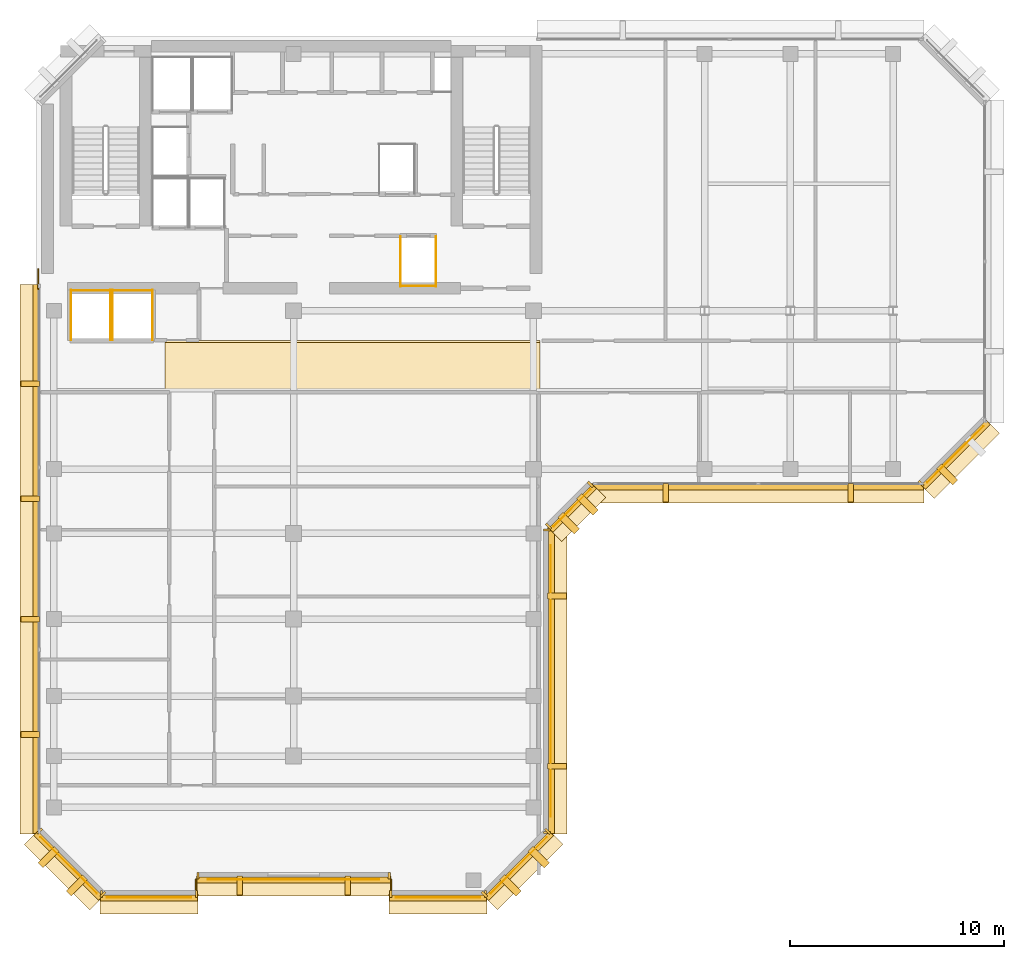
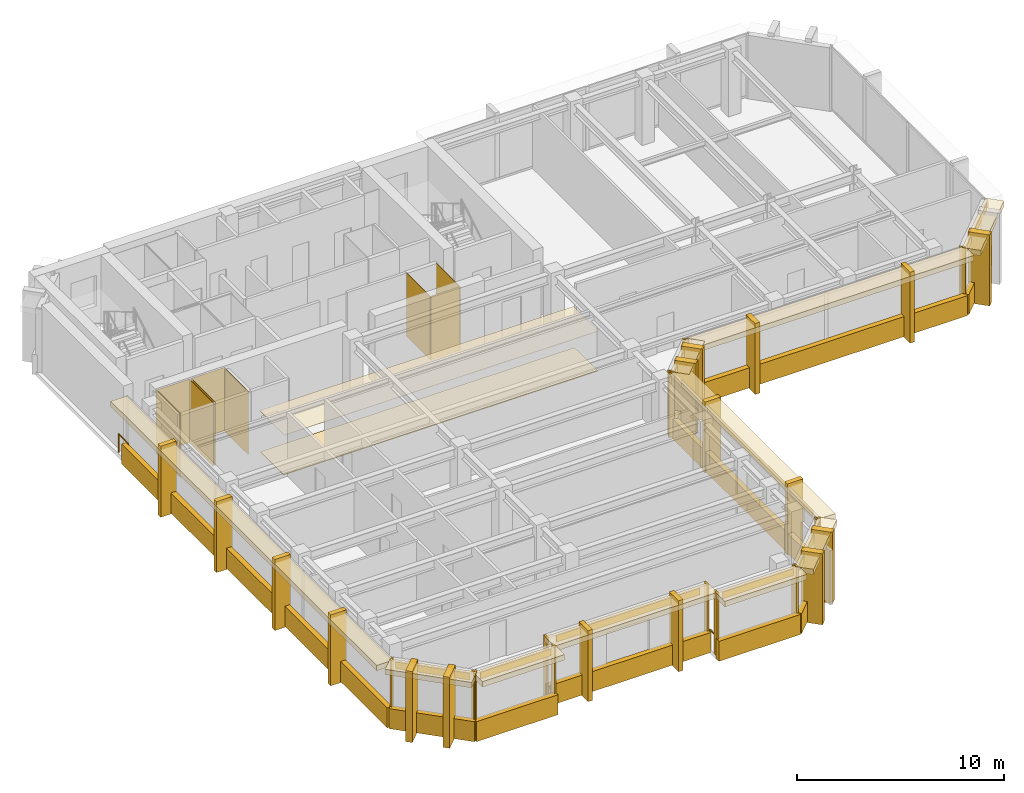
# One storey, part 9 of 12: 71 coverings, 3 railings.
"""IFC4 building model written with IfcOpenShell, lengths in metres."""

from ifc_helpers import new_model, si_unit, direction, frame, origin, origin_2d, place, context, subcontext, project, spatial, polyline, rectangle, circle, outline, extrude, material, layer, layer_set, type_object, element, save


model = new_model("IFC4")

# Units and contexts
model_context = context("Model", 3, precision=1e-05, world=origin(), true_north=direction((0.0, 1.0)))
body_context = subcontext(model_context, "Body", "Model", "MODEL_VIEW")
ifc_project = project(units=[si_unit("LENGTHUNIT", "METRE"), si_unit("AREAUNIT", "SQUARE_METRE"), si_unit("VOLUMEUNIT", "CUBIC_METRE"), si_unit("PLANEANGLEUNIT", "RADIAN"), si_unit("MASSUNIT", "GRAM", prefix="KILO")], contexts=[model_context])

# Site, building, storey
site_placement = place(None, origin())
site = spatial("IfcSite", under=ifc_project, at=site_placement, CompositionType="ELEMENT")
building_placement = place(site_placement, origin())
building = spatial("IfcBuilding", under=site, at=building_placement, Name="Kefirva Bronze Tower", CompositionType="ELEMENT")
storey_placement = place(building_placement, frame((0.0, 0.0, 296.010009765625)))
storey = spatial("IfcBuildingStorey", under=building, at=storey_placement, Name="L72", CompositionType="ELEMENT", Elevation=296.010009765625)

# Coverings
ifc_material_1 = material(Name="Acoustic mineral tile")
ifc_layer_1 = layer(ifc_material_1, 0.02490234375, Name="Acoustic mineral tile")
ifc_layer_set_1 = layer_set([ifc_layer_1], Name="Acoustic mineral tile")
covering_type_1 = type_object("IfcCoveringType", Name="Acoustic Mineral Suspended Ceiling 25mm", PredefinedType="CEILING", material=ifc_layer_set_1)
covering_1_placement = place(storey_placement, frame((0.0, 0.0, 2.39990234375)))
element("IfcCovering", 1, at=covering_1_placement, inside=storey, type_object=covering_type_1, Name="L72 Corridor Acoustic Ceiling", PredefinedType="CEILING", context=body_context, shape_type="SweptSolid", body=[
    extrude(outline(polyline([(6.0, 29.39990234375), (23.5, 29.39990234375), (23.5, 31.800048828125), (6.0, 31.800048828125), (6.0, 29.39990234375)])), origin(), (0.0, 0.0, 1.0), 0.025146484375),
])
ifc_material_2 = material(Name="Bronze anodised aluminium", Category="aluminium")
ifc_layer_2 = layer(ifc_material_2, 0.02001953125, Name="Bronze anodised aluminium")
ifc_layer_set_2 = layer_set([ifc_layer_2], Name="Bronze anodised aluminium")
covering_type_2 = type_object("IfcCoveringType", Name="Anodised Bronze Spandrel Cladding 20mm", PredefinedType="CLADDING", material=ifc_layer_set_2)
covering_2_placement = place(storey_placement, frame((5.25, 5.7900390625, 3.320068359375), z_axis=(0.0, 0.0, 1.0), x_axis=(1.0, 0.0, 0.0)))
element("IfcCovering", 2, at=covering_2_placement, inside=storey, type_object=covering_type_2, Name="L72 Bronze Spandrel Cladding 1", PredefinedType="CLADDING", context=body_context, shape_type="SweptSolid", body=[
    extrude(rectangle(XDim=3.950927734375, YDim=0.02001953125, at=origin_2d()), origin(), (0.0, 0.0, 1.0), 0.39990234375),
])
for number, where, z_axis, x_axis, name in (
    (3, (3.034912109375, 5.9599609375, 0.0), (0.0, 0.0, 1.0), (1.0, 0.0, 0.0), "L72 Facade Joint Closure Panel 1S"),
    (4, (7.465087890625, 5.9599609375, 0.0), (0.0, 0.0, 1.0), (1.0, 0.0, 0.0), "L72 Facade Joint Closure Panel 1E"),
):
    element("IfcCovering", number, at=place(storey_placement, frame(where, z_axis=z_axis, x_axis=x_axis)), inside=storey, type_object=covering_type_2, Name=name, PredefinedType="CLADDING", context=body_context, shape_type="SweptSolid", body=[
        extrude(rectangle(XDim=0.10009765625, YDim=0.320068359375, at=origin_2d()), origin(), (0.0, 0.0, 1.0), 3.739990234375),
    ])
covering_3_placement = place(storey_placement, frame((5.25, 5.760009765625, -0.16015625), z_axis=(0.0, 0.0, 1.0), x_axis=(1.0, 0.0, 0.0)))
element("IfcCovering", 5, at=covering_3_placement, inside=storey, type_object=covering_type_2, Name="L72 Streamline Horizontal Spandrel Band 0", PredefinedType="CLADDING", context=body_context, shape_type="SweptSolid", body=[
    extrude(rectangle(XDim=4.5400390625, YDim=0.280029296875, at=origin_2d()), origin(), (0.0, 0.0, 1.0), 1.179931640625),
])
covering_4_placement = place(storey_placement, frame((12.0, 6.639892578125, 3.320068359375), z_axis=(0.0, 0.0, 1.0), x_axis=(1.0, 0.0, 0.0)))
element("IfcCovering", 6, at=covering_4_placement, inside=storey, type_object=covering_type_2, Name="L72 Bronze Spandrel Cladding 2", PredefinedType="CLADDING", context=body_context, shape_type="SweptSolid", body=[
    extrude(rectangle(XDim=8.0009765625, YDim=0.02001953125, at=origin_2d()), origin(), (0.0, 0.0, 1.0), 0.39990234375),
])
for number, where, z_axis, x_axis, name in (
    (7, (7.534912109375, 6.81005859375, 0.0), (0.0, 0.0, 1.0), (1.0, 0.0, 0.0), "L72 Facade Joint Closure Panel 2S"),
    (8, (16.465087890625, 6.81005859375, 0.0), (0.0, 0.0, 1.0), (1.0, 0.0, 0.0), "L72 Facade Joint Closure Panel 2E"),
):
    element("IfcCovering", number, at=place(storey_placement, frame(where, z_axis=z_axis, x_axis=x_axis)), inside=storey, type_object=covering_type_2, Name=name, PredefinedType="CLADDING", context=body_context, shape_type="SweptSolid", body=[
        extrude(rectangle(XDim=0.10009765625, YDim=0.320068359375, at=origin_2d()), origin(), (0.0, 0.0, 1.0), 3.739990234375),
    ])
covering_5_placement = place(storey_placement, frame((12.0, 6.610107421875, -0.16015625), z_axis=(0.0, 0.0, 1.0), x_axis=(1.0, 0.0, 0.0)))
element("IfcCovering", 9, at=covering_5_placement, inside=storey, type_object=covering_type_2, Name="L72 Streamline Horizontal Spandrel Band 2", PredefinedType="CLADDING", context=body_context, shape_type="SweptSolid", body=[
    extrude(rectangle(XDim=9.0400390625, YDim=0.280029296875, at=origin_2d()), origin(), (0.0, 0.0, 1.0), 1.179931640625),
])
covering_6_placement = place(storey_placement, frame((18.75, 5.7900390625, 3.320068359375), z_axis=(0.0, 0.0, 1.0), x_axis=(1.0, 0.0, 0.0)))
element("IfcCovering", 10, at=covering_6_placement, inside=storey, type_object=covering_type_2, Name="L72 Bronze Spandrel Cladding 3", PredefinedType="CLADDING", context=body_context, shape_type="SweptSolid", body=[
    extrude(rectangle(XDim=3.950927734375, YDim=0.02001953125, at=origin_2d()), origin(), (0.0, 0.0, 1.0), 0.39990234375),
])
for number, where, z_axis, x_axis, name in (
    (11, (16.534912109375, 5.9599609375, 0.0), (0.0, 0.0, 1.0), (1.0, 0.0, 0.0), "L72 Facade Joint Closure Panel 3S"),
    (12, (20.965087890625, 5.9599609375, 0.0), (0.0, 0.0, 1.0), (1.0, 0.0, 0.0), "L72 Facade Joint Closure Panel 3E"),
):
    element("IfcCovering", number, at=place(storey_placement, frame(where, z_axis=z_axis, x_axis=x_axis)), inside=storey, type_object=covering_type_2, Name=name, PredefinedType="CLADDING", context=body_context, shape_type="SweptSolid", body=[
        extrude(rectangle(XDim=0.10009765625, YDim=0.320068359375, at=origin_2d()), origin(), (0.0, 0.0, 1.0), 3.739990234375),
    ])
covering_7_placement = place(storey_placement, frame((18.75, 5.760009765625, -0.16015625), z_axis=(0.0, 0.0, 1.0), x_axis=(1.0, 0.0, 0.0)))
element("IfcCovering", 13, at=covering_7_placement, inside=storey, type_object=covering_type_2, Name="L72 Streamline Horizontal Spandrel Band 4", PredefinedType="CLADDING", context=body_context, shape_type="SweptSolid", body=[
    extrude(rectangle(XDim=4.5400390625, YDim=0.280029296875, at=origin_2d()), origin(), (0.0, 0.0, 1.0), 1.179931640625),
])
covering_8_placement = place(storey_placement, frame((22.507080078125, 7.29296875, 3.320068359375), z_axis=(0.0, 0.0, 1.0), x_axis=(0.707106781187, 0.707106781187, 0.0)))
element("IfcCovering", 14, at=covering_8_placement, inside=storey, type_object=covering_type_2, Name="L72 Bronze Spandrel Cladding 4", PredefinedType="CLADDING", context=body_context, shape_type="SweptSolid", body=[
    extrude(rectangle(XDim=3.719482421875, YDim=0.02001953125, at=origin_2d()), origin(), (0.0, 0.0, 1.0), 0.39990234375),
])
for number, where, z_axis, x_axis, name in (
    (15, (20.91162109375, 5.93798828125, 0.0), (0.0, 0.0, 1.0), (0.707106781187, 0.707106781187, 0.0), "L72 Facade Joint Closure Panel 4S"),
    (16, (23.862060546875, 8.88818359375, 0.0), (0.0, 0.0, 1.0), (0.707106781187, 0.707106781187, 0.0), "L72 Facade Joint Closure Panel 4E"),
):
    element("IfcCovering", number, at=place(storey_placement, frame(where, z_axis=z_axis, x_axis=x_axis)), inside=storey, type_object=covering_type_2, Name=name, PredefinedType="CLADDING", context=body_context, shape_type="SweptSolid", body=[
        extrude(rectangle(XDim=0.10009765625, YDim=0.320068359375, at=origin_2d()), origin(), (0.0, 0.0, 1.0), 3.739990234375),
    ])
covering_9_placement = place(storey_placement, frame((22.5283203125, 7.271728515625, -0.16015625), z_axis=(0.0, 0.0, 1.0), x_axis=(0.707106781187, 0.707106781187, 0.0)))
element("IfcCovering", 17, at=covering_9_placement, inside=storey, type_object=covering_type_2, Name="L72 Streamline Horizontal Spandrel Band 5", PredefinedType="CLADDING", context=body_context, shape_type="SweptSolid", body=[
    extrude(rectangle(XDim=4.28271484375, YDim=0.280029296875, at=origin_2d()), origin(), (0.0, 0.0, 1.0), 1.179931640625),
])
covering_10_placement = place(storey_placement, frame((24.010009765625, 15.89990234375, 3.320068359375), z_axis=(0.0, 0.0, 1.0), x_axis=(0.0, 1.0, 0.0)))
element("IfcCovering", 18, at=covering_10_placement, inside=storey, type_object=covering_type_2, Name="L72 Bronze Spandrel Cladding 5", PredefinedType="CLADDING", context=body_context, shape_type="SweptSolid", body=[
    extrude(rectangle(XDim=12.680908203125, YDim=0.02001953125, at=origin_2d()), origin(), (0.0, 0.0, 1.0), 0.39990234375),
])
for number, where, z_axis, x_axis, name in (
    (19, (23.840087890625, 8.8349609375, 0.0), (0.0, 0.0, 1.0), (0.0, 1.0, 0.0), "L72 Facade Joint Closure Panel 5S"),
    (20, (23.840087890625, 22.965087890625, 0.0), (0.0, 0.0, 1.0), (0.0, 1.0, 0.0), "L72 Facade Joint Closure Panel 5E"),
):
    element("IfcCovering", number, at=place(storey_placement, frame(where, z_axis=z_axis, x_axis=x_axis)), inside=storey, type_object=covering_type_2, Name=name, PredefinedType="CLADDING", context=body_context, shape_type="SweptSolid", body=[
        extrude(rectangle(XDim=0.10009765625, YDim=0.320068359375, at=origin_2d()), origin(), (0.0, 0.0, 1.0), 3.739990234375),
    ])
covering_11_placement = place(storey_placement, frame((24.0400390625, 15.89990234375, -0.16015625), z_axis=(0.0, 0.0, 1.0), x_axis=(0.0, 1.0, 0.0)))
element("IfcCovering", 21, at=covering_11_placement, inside=storey, type_object=covering_type_2, Name="L72 Streamline Horizontal Spandrel Band 6", PredefinedType="CLADDING", context=body_context, shape_type="SweptSolid", body=[
    extrude(rectangle(XDim=14.239990234375, YDim=0.280029296875, at=origin_2d()), origin(), (0.0, 0.0, 1.0), 1.179931640625),
])
covering_12_placement = place(storey_placement, frame((25.007080078125, 23.992919921875, 3.320068359375), z_axis=(0.0, 0.0, 1.0), x_axis=(0.707106781187, 0.707106781187, 0.0)))
element("IfcCovering", 22, at=covering_12_placement, inside=storey, type_object=covering_type_2, Name="L72 Bronze Spandrel Cladding 6", PredefinedType="CLADDING", context=body_context, shape_type="SweptSolid", body=[
    extrude(rectangle(XDim=2.446533203125, YDim=0.02001953125, at=origin_2d()), origin(), (0.0, 0.0, 1.0), 0.39990234375),
])
for number, where, z_axis, x_axis, name in (
    (23, (23.91162109375, 23.137939453125, 0.0), (0.0, 0.0, 1.0), (0.707106781187, 0.707106781187, 0.0), "L72 Facade Joint Closure Panel 6S"),
    (24, (25.862060546875, 25.08837890625, 0.0), (0.0, 0.0, 1.0), (0.707106781187, 0.707106781187, 0.0), "L72 Facade Joint Closure Panel 6E"),
):
    element("IfcCovering", number, at=place(storey_placement, frame(where, z_axis=z_axis, x_axis=x_axis)), inside=storey, type_object=covering_type_2, Name=name, PredefinedType="CLADDING", context=body_context, shape_type="SweptSolid", body=[
        extrude(rectangle(XDim=0.10009765625, YDim=0.320068359375, at=origin_2d()), origin(), (0.0, 0.0, 1.0), 3.739990234375),
    ])
covering_13_placement = place(storey_placement, frame((25.0283203125, 23.9716796875, -0.16015625), z_axis=(0.0, 0.0, 1.0), x_axis=(0.707106781187, 0.707106781187, 0.0)))
element("IfcCovering", 25, at=covering_13_placement, inside=storey, type_object=covering_type_2, Name="L72 Streamline Horizontal Spandrel Band 7", PredefinedType="CLADDING", context=body_context, shape_type="SweptSolid", body=[
    extrude(rectangle(XDim=2.868408203125, YDim=0.280029296875, at=origin_2d()), origin(), (0.0, 0.0, 1.0), 1.179931640625),
])
covering_14_placement = place(storey_placement, frame((33.699951171875, 24.9599609375, -0.16015625), z_axis=(0.0, 0.0, 1.0), x_axis=(1.0, 0.0, 0.0)))
element("IfcCovering", 26, at=covering_14_placement, inside=storey, type_object=covering_type_2, Name="L72 Streamline Horizontal Spandrel Band 8", PredefinedType="CLADDING", context=body_context, shape_type="SweptSolid", body=[
    extrude(rectangle(XDim=15.43994140625, YDim=0.280029296875, at=origin_2d()), origin(), (0.0, 0.0, 1.0), 1.179931640625),
])
covering_15_placement = place(storey_placement, frame((42.906982421875, 26.492919921875, 3.320068359375), z_axis=(0.0, 0.0, 1.0), x_axis=(0.707106781187, 0.707106781187, 0.0)))
element("IfcCovering", 27, at=covering_15_placement, inside=storey, type_object=covering_type_2, Name="L72 Bronze Spandrel Cladding 7", PredefinedType="CLADDING", context=body_context, shape_type="SweptSolid", body=[
    extrude(rectangle(XDim=3.719482421875, YDim=0.02001953125, at=origin_2d()), origin(), (0.0, 0.0, 1.0), 0.39990234375),
])
covering_16_placement = place(storey_placement, frame((41.311767578125, 25.137939453125, 0.0), z_axis=(0.0, 0.0, 1.0), x_axis=(0.707106781187, 0.707106781187, 0.0)))
element("IfcCovering", 28, at=covering_16_placement, inside=storey, type_object=covering_type_2, Name="L72 Facade Joint Closure Panel 7S", PredefinedType="CLADDING", context=body_context, shape_type="SweptSolid", body=[
    extrude(rectangle(XDim=0.10009765625, YDim=0.320068359375, at=origin_2d()), origin(), (0.0, 0.0, 1.0), 3.739990234375),
])
covering_17_placement = place(storey_placement, frame((42.92822265625, 26.4716796875, -0.16015625), z_axis=(0.0, 0.0, 1.0), x_axis=(0.707106781187, 0.707106781187, 0.0)))
element("IfcCovering", 29, at=covering_17_placement, inside=storey, type_object=covering_type_2, Name="L72 Streamline Horizontal Spandrel Band 9", PredefinedType="CLADDING", context=body_context, shape_type="SweptSolid", body=[
    extrude(rectangle(XDim=4.28271484375, YDim=0.280029296875, at=origin_2d()), origin(), (0.0, 0.0, 1.0), 1.179931640625),
])
covering_18_placement = place(storey_placement, frame((-0.0400390625, 21.597412109375, -0.16015625), z_axis=(0.0, 0.0, 1.0), x_axis=(0.0, -1.0, 0.0)))
element("IfcCovering", 30, at=covering_18_placement, inside=storey, type_object=covering_type_2, Name="L72 Streamline Horizontal Spandrel Band 14", PredefinedType="CLADDING", context=body_context, shape_type="SweptSolid", body=[
    extrude(rectangle(XDim=25.635009765625, YDim=0.280029296875, at=origin_2d()), origin(), (0.0, 0.0, 1.0), 1.179931640625),
])
covering_19_placement = place(storey_placement, frame((1.492919921875, 7.29296875, 3.320068359375), z_axis=(0.0, 0.0, 1.0), x_axis=(0.707106781187, -0.707106781187, 0.0)))
element("IfcCovering", 31, at=covering_19_placement, inside=storey, type_object=covering_type_2, Name="L72 Bronze Spandrel Cladding 10", PredefinedType="CLADDING", context=body_context, shape_type="SweptSolid", body=[
    extrude(rectangle(XDim=3.719482421875, YDim=0.02001953125, at=origin_2d()), origin(), (0.0, 0.0, 1.0), 0.39990234375),
])
for number, where, z_axis, x_axis, name in (
    (32, (0.137939453125, 8.88818359375, 0.0), (0.0, 0.0, 1.0), (0.707106781187, -0.707106781187, 0.0), "L72 Facade Joint Closure Panel 10S"),
    (33, (3.08837890625, 5.93798828125, 0.0), (0.0, 0.0, 1.0), (0.707106781187, -0.707106781187, 0.0), "L72 Facade Joint Closure Panel 10E"),
):
    element("IfcCovering", number, at=place(storey_placement, frame(where, z_axis=z_axis, x_axis=x_axis)), inside=storey, type_object=covering_type_2, Name=name, PredefinedType="CLADDING", context=body_context, shape_type="SweptSolid", body=[
        extrude(rectangle(XDim=0.10009765625, YDim=0.320068359375, at=origin_2d()), origin(), (0.0, 0.0, 1.0), 3.739990234375),
    ])
covering_20_placement = place(storey_placement, frame((1.4716796875, 7.271728515625, -0.16015625), z_axis=(0.0, 0.0, 1.0), x_axis=(0.707106781187, -0.707106781187, 0.0)))
element("IfcCovering", 34, at=covering_20_placement, inside=storey, type_object=covering_type_2, Name="L72 Streamline Horizontal Spandrel Band 15", PredefinedType="CLADDING", context=body_context, shape_type="SweptSolid", body=[
    extrude(rectangle(XDim=4.28271484375, YDim=0.280029296875, at=origin_2d()), origin(), (0.0, 0.0, 1.0), 1.179931640625),
])
covering_21_placement = place(storey_placement, origin())
element("IfcCovering", 35, at=covering_21_placement, inside=storey, type_object=covering_type_2, Name="L72 Lift OB1 Hoistway Liner N", PredefinedType="CLADDING", context=body_context, shape_type="SweptSolid", body=[
    extrude(outline(polyline([(1.580078125, 34.139892578125), (3.469970703125, 34.139892578125), (3.469970703125, 34.159912109375), (1.580078125, 34.159912109375), (1.580078125, 34.139892578125)])), origin(), (0.0, 0.0, 1.0), 3.739990234375),
])
covering_22_placement = place(storey_placement, origin())
element("IfcCovering", 36, at=covering_22_placement, inside=storey, type_object=covering_type_2, Name="L72 Lift OB1 Hoistway Liner W", PredefinedType="CLADDING", context=body_context, shape_type="SweptSolid", body=[
    extrude(outline(polyline([(1.590087890625, 31.830078125), (1.610107421875, 31.830078125), (1.610107421875, 34.169921875), (1.590087890625, 34.169921875), (1.590087890625, 31.830078125)])), origin(), (0.0, 0.0, 1.0), 3.739990234375),
])
covering_23_placement = place(storey_placement, origin())
element("IfcCovering", 37, at=covering_23_placement, inside=storey, type_object=covering_type_2, Name="L72 Lift OB1 Hoistway Liner E", PredefinedType="CLADDING", context=body_context, shape_type="SweptSolid", body=[
    extrude(outline(polyline([(3.43994140625, 31.830078125), (3.4599609375, 31.830078125), (3.4599609375, 34.169921875), (3.43994140625, 34.169921875), (3.43994140625, 31.830078125)])), origin(), (0.0, 0.0, 1.0), 3.739990234375),
])
covering_24_placement = place(storey_placement, origin())
element("IfcCovering", 38, at=covering_24_placement, inside=storey, type_object=covering_type_2, Name="L72 Lift OB2 Hoistway Liner N", PredefinedType="CLADDING", context=body_context, shape_type="SweptSolid", body=[
    extrude(outline(polyline([(3.530029296875, 34.139892578125), (5.419921875, 34.139892578125), (5.419921875, 34.159912109375), (3.530029296875, 34.159912109375), (3.530029296875, 34.139892578125)])), origin(), (0.0, 0.0, 1.0), 3.739990234375),
])
covering_25_placement = place(storey_placement, origin())
element("IfcCovering", 39, at=covering_25_placement, inside=storey, type_object=covering_type_2, Name="L72 Lift OB2 Hoistway Liner W", PredefinedType="CLADDING", context=body_context, shape_type="SweptSolid", body=[
    extrude(outline(polyline([(3.5400390625, 31.830078125), (3.56005859375, 31.830078125), (3.56005859375, 34.169921875), (3.5400390625, 34.169921875), (3.5400390625, 31.830078125)])), origin(), (0.0, 0.0, 1.0), 3.739990234375),
])
covering_26_placement = place(storey_placement, origin())
element("IfcCovering", 40, at=covering_26_placement, inside=storey, type_object=covering_type_2, Name="L72 Lift OB2 Hoistway Liner E", PredefinedType="CLADDING", context=body_context, shape_type="SweptSolid", body=[
    extrude(outline(polyline([(5.389892578125, 31.830078125), (5.409912109375, 31.830078125), (5.409912109375, 34.169921875), (5.389892578125, 34.169921875), (5.389892578125, 31.830078125)])), origin(), (0.0, 0.0, 1.0), 3.739990234375),
])
covering_27_placement = place(storey_placement, origin())
element("IfcCovering", 41, at=covering_27_placement, inside=storey, type_object=covering_type_2, Name="L72 Lift HP1 Hoistway Liner S", PredefinedType="CLADDING", context=body_context, shape_type="SweptSolid", body=[
    extrude(outline(polyline([(16.97998046875, 34.340087890625), (18.669921875, 34.340087890625), (18.669921875, 34.360107421875), (16.97998046875, 34.360107421875), (16.97998046875, 34.340087890625)])), origin(), (0.0, 0.0, 1.0), 3.739990234375),
])
covering_28_placement = place(storey_placement, origin())
element("IfcCovering", 42, at=covering_28_placement, inside=storey, type_object=covering_type_2, Name="L72 Lift HP1 Hoistway Liner W", PredefinedType="CLADDING", context=body_context, shape_type="SweptSolid", body=[
    extrude(outline(polyline([(16.989990234375, 34.330078125), (17.010009765625, 34.330078125), (17.010009765625, 36.669921875), (16.989990234375, 36.669921875), (16.989990234375, 34.330078125)])), origin(), (0.0, 0.0, 1.0), 3.739990234375),
])
covering_29_placement = place(storey_placement, origin())
element("IfcCovering", 43, at=covering_29_placement, inside=storey, type_object=covering_type_2, Name="L72 Lift HP1 Hoistway Liner E", PredefinedType="CLADDING", context=body_context, shape_type="SweptSolid", body=[
    extrude(outline(polyline([(18.639892578125, 34.330078125), (18.659912109375, 34.330078125), (18.659912109375, 36.669921875), (18.639892578125, 36.669921875), (18.639892578125, 34.330078125)])), origin(), (0.0, 0.0, 1.0), 3.739990234375),
])

# Railings
ifc_material_3 = material(Name="Stainless steel 316", Category="steel")
railing_type = type_object("IfcRailingType", Name="Interior Stair Guardrail 1100mm", PredefinedType="GUARDRAIL", material=ifc_material_3)
railing_placement = place(storey_placement, frame((0.080078125, 34.199951171875, 0.0)))
element("IfcRailing", 44, at=railing_placement, inside=storey, type_object=railing_type, Name="L72 West Core Junction Guardrail", PredefinedType="GUARDRAIL", context=body_context, shape_type="SweptSolid", body=[
    extrude(circle(Radius=0.02392578125, at=origin_2d()), frame((0.0, 0.0, 1.076171875), z_axis=(0.0, 1.0, 0.0), x_axis=(-1.0, 0.0, 0.0)), (0.0, 0.0, 1.0), 0.949951171875),
    extrude(circle(Radius=0.02099609375, at=origin_2d()), origin(), (0.0, 0.0, 1.0), 1.052001953125),
    extrude(circle(Radius=0.02099609375, at=origin_2d()), frame((0.0, 0.949951171875, 0.0)), (0.0, 0.0, 1.0), 1.052001953125),
])
for number, where, name in (
    (45, (16.56005859375, 6.14990234375, 0.0), "L72 Setback Corner Guardrail SB1"),
    (46, (7.43994140625, 6.14990234375, 0.0), "L72 Setback Corner Guardrail SB2"),
):
    element("IfcRailing", number, at=place(storey_placement, frame(where)), inside=storey, type_object=railing_type, Name=name, PredefinedType="GUARDRAIL", context=body_context, shape_type="SweptSolid", body=[
        extrude(circle(Radius=0.02392578125, at=origin_2d()), frame((0.0, 0.0, 1.076171875), z_axis=(0.0, 1.0, 0.0), x_axis=(-1.0, 0.0, 0.0)), (0.0, 0.0, 1.0), 0.489990234375),
        extrude(circle(Radius=0.02099609375, at=origin_2d()), origin(), (0.0, 0.0, 1.0), 1.052001953125),
        extrude(circle(Radius=0.02099609375, at=origin_2d()), frame((0.0, 0.489990234375, 0.0)), (0.0, 0.0, 1.0), 1.052001953125),
    ])

# Coverings
ifc_material_4 = material(Name="Calcium sulphate access tile")
ifc_layer_3 = layer(ifc_material_4, 0.044921875, Name="Calcium sulphate access tile")
ifc_layer_set_3 = layer_set([ifc_layer_3], Name="Calcium sulphate access tile")
covering_type_3 = type_object("IfcCoveringType", Name="Raised Access Office Flooring 45mm", PredefinedType="FLOORING", material=ifc_layer_set_3)
covering_30_placement = place(storey_placement, origin())
element("IfcCovering", 47, at=covering_30_placement, inside=storey, type_object=covering_type_3, Name="L72 Architectural Finish Flooring", PredefinedType="FLOORING", context=body_context, shape_type="SweptSolid", body=[
    extrude(outline(polyline([(6.0, 29.47998046875), (23.5, 29.47998046875), (23.5, 31.719970703125), (6.0, 31.719970703125), (6.0, 29.47998046875)])), origin(), (0.0, 0.0, 1.0), 0.044921875),
])
ifc_layer_4 = layer(ifc_material_2, 0.179931640625, Name="Bronze anodised aluminium")
ifc_layer_set_4 = layer_set([ifc_layer_4], Name="Bronze anodised aluminium")
covering_type_4 = type_object("IfcCoveringType", Name="Streamline Bronze Sunshade Eyebrow Cladding 180mm", PredefinedType="CLADDING", material=ifc_layer_set_4)
covering_31_placement = place(storey_placement, frame((5.25, 5.489990234375, 3.419921875), z_axis=(0.0, 0.0, 1.0), x_axis=(1.0, 0.0, 0.0)))
element("IfcCovering", 48, at=covering_31_placement, inside=storey, type_object=covering_type_4, Name="L72 Streamline Bronze Sunshade Eyebrow 0", PredefinedType="CLADDING", context=body_context, shape_type="SweptSolid", body=[
    extrude(rectangle(XDim=4.580078125, YDim=0.93994140625, at=origin_2d()), origin(), (0.0, 0.0, 1.0), 0.320068359375),
])
covering_32_placement = place(storey_placement, frame((12.0, 6.340087890625, 3.419921875), z_axis=(0.0, 0.0, 1.0), x_axis=(1.0, 0.0, 0.0)))
element("IfcCovering", 49, at=covering_32_placement, inside=storey, type_object=covering_type_4, Name="L72 Streamline Bronze Sunshade Eyebrow 2", PredefinedType="CLADDING", context=body_context, shape_type="SweptSolid", body=[
    extrude(rectangle(XDim=9.080078125, YDim=0.93994140625, at=origin_2d()), origin(), (0.0, 0.0, 1.0), 0.320068359375),
])
covering_33_placement = place(storey_placement, frame((18.75, 5.489990234375, 3.419921875), z_axis=(0.0, 0.0, 1.0), x_axis=(1.0, 0.0, 0.0)))
element("IfcCovering", 50, at=covering_33_placement, inside=storey, type_object=covering_type_4, Name="L72 Streamline Bronze Sunshade Eyebrow 4", PredefinedType="CLADDING", context=body_context, shape_type="SweptSolid", body=[
    extrude(rectangle(XDim=4.580078125, YDim=0.93994140625, at=origin_2d()), origin(), (0.0, 0.0, 1.0), 0.320068359375),
])
covering_34_placement = place(storey_placement, frame((22.71923828125, 7.080810546875, 3.419921875), z_axis=(0.0, 0.0, 1.0), x_axis=(0.707106781187, 0.707106781187, 0.0)))
element("IfcCovering", 51, at=covering_34_placement, inside=storey, type_object=covering_type_4, Name="L72 Streamline Bronze Sunshade Eyebrow 5", PredefinedType="CLADDING", context=body_context, shape_type="SweptSolid", body=[
    extrude(rectangle(XDim=4.322509765625, YDim=0.93994140625, at=origin_2d()), origin(), (0.0, 0.0, 1.0), 0.320068359375),
])
covering_35_placement = place(storey_placement, frame((24.31005859375, 15.89990234375, 3.419921875), z_axis=(0.0, 0.0, 1.0), x_axis=(0.0, 1.0, 0.0)))
element("IfcCovering", 52, at=covering_35_placement, inside=storey, type_object=covering_type_4, Name="L72 Streamline Bronze Sunshade Eyebrow 6", PredefinedType="CLADDING", context=body_context, shape_type="SweptSolid", body=[
    extrude(rectangle(XDim=14.280029296875, YDim=0.93994140625, at=origin_2d()), origin(), (0.0, 0.0, 1.0), 0.320068359375),
])
covering_36_placement = place(storey_placement, frame((25.21923828125, 23.78076171875, 3.419921875), z_axis=(0.0, 0.0, 1.0), x_axis=(0.707106781187, 0.707106781187, 0.0)))
element("IfcCovering", 53, at=covering_36_placement, inside=storey, type_object=covering_type_4, Name="L72 Streamline Bronze Sunshade Eyebrow 7", PredefinedType="CLADDING", context=body_context, shape_type="SweptSolid", body=[
    extrude(rectangle(XDim=2.908447265625, YDim=0.93994140625, at=origin_2d()), origin(), (0.0, 0.0, 1.0), 0.320068359375),
])
covering_37_placement = place(storey_placement, frame((33.699951171875, 24.68994140625, 3.419921875), z_axis=(0.0, 0.0, 1.0), x_axis=(1.0, 0.0, 0.0)))
element("IfcCovering", 54, at=covering_37_placement, inside=storey, type_object=covering_type_4, Name="L72 Streamline Bronze Sunshade Eyebrow 8", PredefinedType="CLADDING", context=body_context, shape_type="SweptSolid", body=[
    extrude(rectangle(XDim=15.47998046875, YDim=0.93994140625, at=origin_2d()), origin(), (0.0, 0.0, 1.0), 0.320068359375),
])
covering_38_placement = place(storey_placement, frame((43.119140625, 26.28076171875, 3.419921875), z_axis=(0.0, 0.0, 1.0), x_axis=(0.707106781187, 0.707106781187, 0.0)))
element("IfcCovering", 55, at=covering_38_placement, inside=storey, type_object=covering_type_4, Name="L72 Streamline Bronze Sunshade Eyebrow 9", PredefinedType="CLADDING", context=body_context, shape_type="SweptSolid", body=[
    extrude(rectangle(XDim=4.322509765625, YDim=0.93994140625, at=origin_2d()), origin(), (0.0, 0.0, 1.0), 0.320068359375),
])
covering_39_placement = place(storey_placement, frame((-0.31005859375, 21.597412109375, 3.419921875), z_axis=(0.0, 0.0, 1.0), x_axis=(0.0, -1.0, 0.0)))
element("IfcCovering", 56, at=covering_39_placement, inside=storey, type_object=covering_type_4, Name="L72 Streamline Bronze Sunshade Eyebrow 14", PredefinedType="CLADDING", context=body_context, shape_type="SweptSolid", body=[
    extrude(rectangle(XDim=25.675048828125, YDim=0.93994140625, at=origin_2d()), origin(), (0.0, 0.0, 1.0), 0.320068359375),
])
covering_40_placement = place(storey_placement, frame((1.28076171875, 7.080810546875, 3.419921875), z_axis=(0.0, 0.0, 1.0), x_axis=(0.707106781187, -0.707106781187, 0.0)))
element("IfcCovering", 57, at=covering_40_placement, inside=storey, type_object=covering_type_4, Name="L72 Streamline Bronze Sunshade Eyebrow 15", PredefinedType="CLADDING", context=body_context, shape_type="SweptSolid", body=[
    extrude(rectangle(XDim=4.322509765625, YDim=0.93994140625, at=origin_2d()), origin(), (0.0, 0.0, 1.0), 0.320068359375),
])
ifc_layer_5 = layer(ifc_material_2, 0.260009765625, Name="Bronze anodised aluminium")
ifc_layer_set_5 = layer_set([ifc_layer_5], Name="Bronze anodised aluminium")
covering_type_5 = type_object("IfcCoveringType", Name="Unbroken Bronze Buttress Fin Cladding 260mm", PredefinedType="CLADDING", material=ifc_layer_set_5)
for number, where, z_axis, x_axis, name in (
    (58, (9.47998046875, 6.35009765625, -0.22021484375), (0.0, 0.0, 1.0), (1.0, 0.0, 0.0), "L72 Unbroken Vertical Bronze Rib Fin 1"),
    (59, (14.52001953125, 6.35009765625, -0.22021484375), (0.0, 0.0, 1.0), (1.0, 0.0, 0.0), "L72 Unbroken Vertical Bronze Rib Fin 2"),
):
    element("IfcCovering", number, at=place(storey_placement, frame(where, z_axis=z_axis, x_axis=x_axis)), inside=storey, type_object=covering_type_5, Name=name, PredefinedType="CLADDING", context=body_context, shape_type="SweptSolid", body=[
        extrude(rectangle(XDim=0.260009765625, YDim=0.8798828125, at=origin_2d()), origin(), (0.0, 0.0, 1.0), 4.179931640625),
    ])
for number, where, z_axis, x_axis, name in (
    (60, (22.122802734375, 6.357177734375, -0.22021484375), (0.0, 0.0, 1.0), (0.707106781187, 0.707106781187, 0.0), "L72 Chamfered Corner Buttress Fin Cladding 3"),
    (61, (23.44287109375, 7.67724609375, -0.22021484375), (0.0, 0.0, 1.0), (0.707106781187, 0.707106781187, 0.0), "L72 Chamfered Corner Buttress Fin Cladding 4"),
):
    element("IfcCovering", number, at=place(storey_placement, frame(where, z_axis=z_axis, x_axis=x_axis)), inside=storey, type_object=covering_type_5, Name=name, PredefinedType="CLADDING", context=body_context, shape_type="SweptSolid", body=[
        extrude(rectangle(XDim=0.340087890625, YDim=1.080078125, at=origin_2d()), origin(), (0.0, 0.0, 1.0), 4.179931640625),
    ])
for number, where, z_axis, x_axis, name in (
    (62, (24.300048828125, 11.924072265625, -0.22021484375), (0.0, 0.0, 1.0), (0.0, 1.0, 0.0), "L72 Unbroken Vertical Bronze Rib Fin 5"),
    (63, (24.300048828125, 19.8759765625, -0.22021484375), (0.0, 0.0, 1.0), (0.0, 1.0, 0.0), "L72 Unbroken Vertical Bronze Rib Fin 6"),
):
    element("IfcCovering", number, at=place(storey_placement, frame(where, z_axis=z_axis, x_axis=x_axis)), inside=storey, type_object=covering_type_5, Name=name, PredefinedType="CLADDING", context=body_context, shape_type="SweptSolid", body=[
        extrude(rectangle(XDim=0.260009765625, YDim=0.8798828125, at=origin_2d()), origin(), (0.0, 0.0, 1.0), 4.179931640625),
    ])
for number, where, z_axis, x_axis, name in (
    (64, (24.8427734375, 23.277099609375, -0.22021484375), (0.0, 0.0, 1.0), (0.707106781187, 0.707106781187, 0.0), "L72 Chamfered Corner Buttress Fin Cladding 7"),
    (65, (25.722900390625, 24.1572265625, -0.22021484375), (0.0, 0.0, 1.0), (0.707106781187, 0.707106781187, 0.0), "L72 Chamfered Corner Buttress Fin Cladding 8"),
):
    element("IfcCovering", number, at=place(storey_placement, frame(where, z_axis=z_axis, x_axis=x_axis)), inside=storey, type_object=covering_type_5, Name=name, PredefinedType="CLADDING", context=body_context, shape_type="SweptSolid", body=[
        extrude(rectangle(XDim=0.340087890625, YDim=1.080078125, at=origin_2d()), origin(), (0.0, 0.0, 1.0), 4.179931640625),
    ])
for number, where, z_axis, x_axis, name in (
    (66, (29.387939453125, 24.699951171875, -0.22021484375), (0.0, 0.0, 1.0), (1.0, 0.0, 0.0), "L72 Unbroken Vertical Bronze Rib Fin 9"),
    (67, (38.011962890625, 24.699951171875, -0.22021484375), (0.0, 0.0, 1.0), (1.0, 0.0, 0.0), "L72 Unbroken Vertical Bronze Rib Fin 10"),
):
    element("IfcCovering", number, at=place(storey_placement, frame(where, z_axis=z_axis, x_axis=x_axis)), inside=storey, type_object=covering_type_5, Name=name, PredefinedType="CLADDING", context=body_context, shape_type="SweptSolid", body=[
        extrude(rectangle(XDim=0.260009765625, YDim=0.8798828125, at=origin_2d()), origin(), (0.0, 0.0, 1.0), 4.179931640625),
    ])
covering_41_placement = place(storey_placement, frame((42.522705078125, 25.55712890625, -0.22021484375), z_axis=(0.0, 0.0, 1.0), x_axis=(0.707106781187, 0.707106781187, 0.0)))
element("IfcCovering", 68, at=covering_41_placement, inside=storey, type_object=covering_type_5, Name="L72 Chamfered Corner Buttress Fin Cladding 11", PredefinedType="CLADDING", context=body_context, shape_type="SweptSolid", body=[
    extrude(rectangle(XDim=0.340087890625, YDim=1.080078125, at=origin_2d()), origin(), (0.0, 0.0, 1.0), 4.179931640625),
])
for number, where, z_axis, x_axis, name in (
    (69, (-0.300048828125, 29.787841796875, -0.22021484375), (0.0, 0.0, 1.0), (0.0, -1.0, 0.0), "L72 Unbroken Vertical Bronze Rib Fin 21"),
    (70, (-0.300048828125, 24.4130859375, -0.22021484375), (0.0, 0.0, 1.0), (0.0, -1.0, 0.0), "L72 Unbroken Vertical Bronze Rib Fin 22"),
    (71, (-0.300048828125, 18.781982421875, -0.22021484375), (0.0, 0.0, 1.0), (0.0, -1.0, 0.0), "L72 Unbroken Vertical Bronze Rib Fin 23"),
    (72, (-0.300048828125, 13.406982421875, -0.22021484375), (0.0, 0.0, 1.0), (0.0, -1.0, 0.0), "L72 Unbroken Vertical Bronze Rib Fin 24"),
):
    element("IfcCovering", number, at=place(storey_placement, frame(where, z_axis=z_axis, x_axis=x_axis)), inside=storey, type_object=covering_type_5, Name=name, PredefinedType="CLADDING", context=body_context, shape_type="SweptSolid", body=[
        extrude(rectangle(XDim=0.260009765625, YDim=0.8798828125, at=origin_2d()), origin(), (0.0, 0.0, 1.0), 4.179931640625),
    ])
for number, where, z_axis, x_axis, name in (
    (73, (0.55712890625, 7.67724609375, -0.22021484375), (0.0, 0.0, 1.0), (0.707106781187, -0.707106781187, 0.0), "L72 Chamfered Corner Buttress Fin Cladding 25"),
    (74, (1.877197265625, 6.357177734375, -0.22021484375), (0.0, 0.0, 1.0), (0.707106781187, -0.707106781187, 0.0), "L72 Chamfered Corner Buttress Fin Cladding 26"),
):
    element("IfcCovering", number, at=place(storey_placement, frame(where, z_axis=z_axis, x_axis=x_axis)), inside=storey, type_object=covering_type_5, Name=name, PredefinedType="CLADDING", context=body_context, shape_type="SweptSolid", body=[
        extrude(rectangle(XDim=0.340087890625, YDim=1.080078125, at=origin_2d()), origin(), (0.0, 0.0, 1.0), 4.179931640625),
    ])

save(model, "model.ifc")
